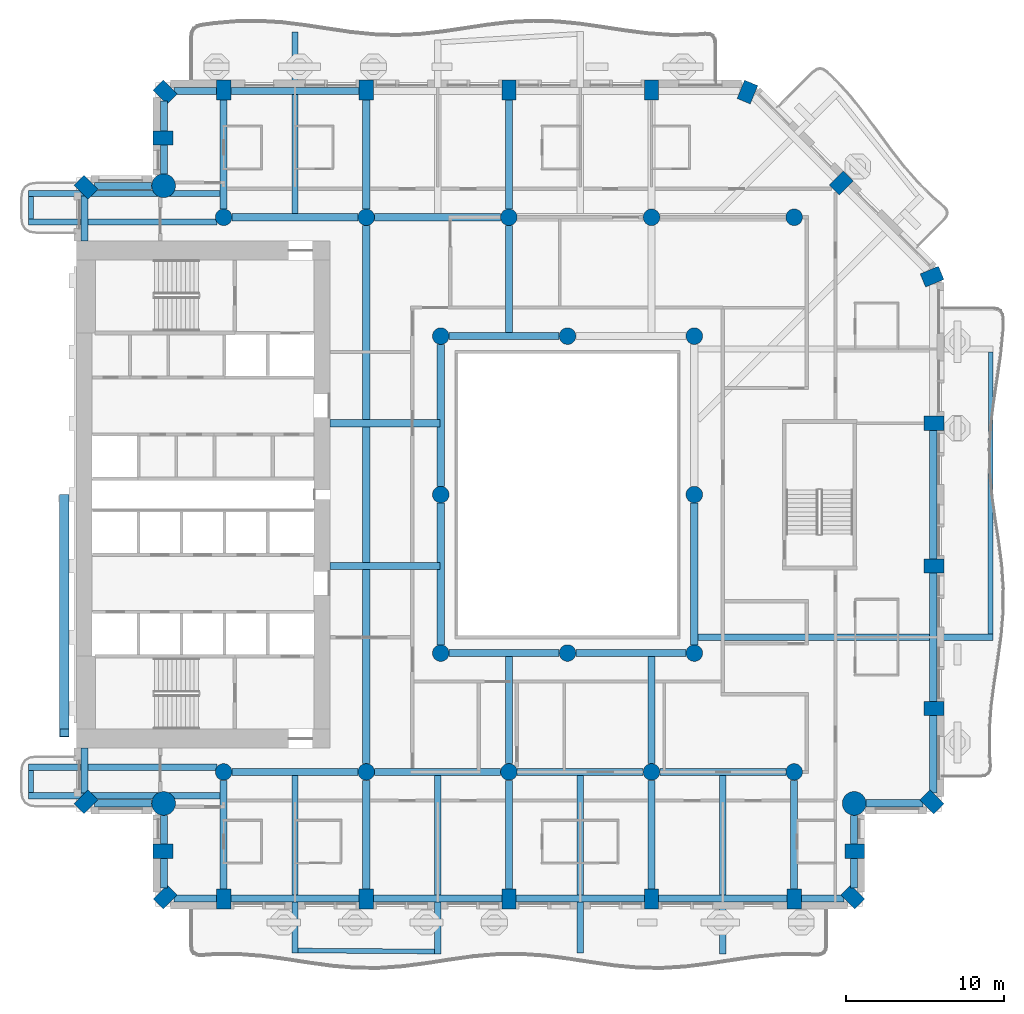
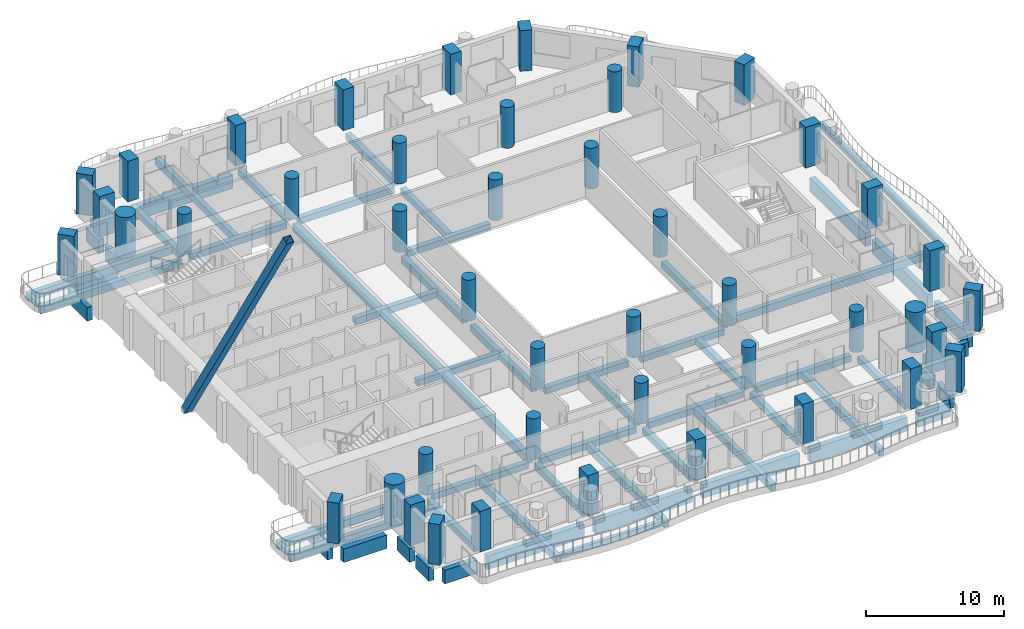
# One storey, part 1 of 21: 64 beams, 45 columns, 1 member.
"""IFC4 building model written with IfcOpenShell, lengths in metres."""

from ifc_helpers import new_model, si_unit, direction, frame, origin, origin_2d, place, context, subcontext, project, spatial, rectangle, hollow_rectangle, circle, extrude, material, material_profile, profile_set, type_object, element, save


model = new_model("IFC4")

# Units and contexts
model_context = context("Model", 3, precision=1e-05, world=origin(), true_north=direction((0.0, 1.0)))
body_context = subcontext(model_context, "Body", "Model", "MODEL_VIEW")
ifc_project = project(units=[si_unit("LENGTHUNIT", "METRE"), si_unit("AREAUNIT", "SQUARE_METRE"), si_unit("VOLUMEUNIT", "CUBIC_METRE"), si_unit("PLANEANGLEUNIT", "RADIAN"), si_unit("MASSUNIT", "GRAM", prefix="KILO")], contexts=[model_context])

# Site, building, storey
site_placement = place(None, origin())
site = spatial("IfcSite", under=ifc_project, at=site_placement, CompositionType="ELEMENT")
building_placement = place(site_placement, origin())
building = spatial("IfcBuilding", under=site, at=building_placement, Name="Cypress Arch Tower", CompositionType="ELEMENT")
storey_placement = place(building_placement, frame((0.0, 0.0, 127.5)))
storey = spatial("IfcBuildingStorey", under=building, at=storey_placement, Name="L27", CompositionType="ELEMENT", Elevation=127.5)

# Columns
ifc_material_1 = material(Name="Concrete C80/95", Category="concrete")
ifc_material_profile_1 = material_profile(ifc_material_1, rectangle(XDim=0.89990234375, YDim=1.25, at=origin_2d()), Name="RC 900x1250")
ifc_profile_set_1 = profile_set([ifc_material_profile_1], Name="Concrete C80/95")
column_type_1 = type_object("IfcColumnType", Name="Column RC 900x1250 Concrete C80/95", PredefinedType="COLUMN", material=ifc_profile_set_1)
for number, where, z_axis, x_axis, name in (
    (1, (-29.389892578125, 19.389892578125, 0.0), (0.0, 0.0, 1.0), (-0.707106781187, -0.707106781187, 0.0), "Column L27 CA00"),
    (2, (-29.389892578125, -19.389892578125, 0.0), (0.0, 0.0, 1.0), (0.707106781187, -0.707106781187, 0.0), "Column L27 CA01"),
    (3, (-24.52490234375, -22.5, 0.0), (0.0, 0.0, 1.0), (0.0, -1.0, 0.0), "Column L27 CA03"),
    (4, (-24.389892578125, -25.389892578125, 0.0), (0.0, 0.0, 1.0), (0.707106781187, -0.707106781187, 0.0), "Column L27 CA04"),
    (5, (-20.699951171875, -25.52490234375, 0.0), (0.0, 0.0, 1.0), (1.0, 0.0, 0.0), "Column L27 CA05"),
    (6, (-11.699951171875, -25.52490234375, 0.0), (0.0, 0.0, 1.0), (1.0, 0.0, 0.0), "Column L27 CA06"),
    (7, (-2.699951171875, -25.52490234375, 0.0), (0.0, 0.0, 1.0), (1.0, 0.0, 0.0), "Column L27 CA07"),
    (8, (6.300048828125, -25.52490234375, 0.0), (0.0, 0.0, 1.0), (1.0, 0.0, 0.0), "Column L27 CA08"),
    (9, (15.300048828125, -25.52490234375, 0.0), (0.0, 0.0, 1.0), (1.0, 0.0, 0.0), "Column L27 CA09"),
    (10, (18.98974609375, -25.389892578125, 0.0), (0.0, 0.0, 1.0), (0.707106781187, 0.707106781187, 0.0), "Column L27 CA10"),
    (11, (19.125, -22.5, 0.0), (0.0, 0.0, 1.0), (0.0, 1.0, 0.0), "Column L27 CA11"),
    (12, (23.98974609375, -19.389892578125, 0.0), (0.0, 0.0, 1.0), (0.707106781187, 0.707106781187, 0.0), "Column L27 CA13"),
    (13, (24.125, -13.5, 0.0), (0.0, 0.0, 1.0), (0.0, 1.0, 0.0), "Column L27 CA14"),
    (14, (24.125, -4.5, 0.0), (0.0, 0.0, 1.0), (0.0, 1.0, 0.0), "Column L27 CA15"),
    (15, (24.125, 4.5, 0.0), (0.0, 0.0, 1.0), (0.0, 1.0, 0.0), "Column L27 CA16"),
    (16, (24.00048828125, 13.751708984375, 0.0), (0.0, 0.0, 1.0), (-0.382683496864, 0.923879505795, 0.0), "Column L27 CA17"),
    (17, (18.26416015625, 19.6640625, 0.0), (0.0, 0.0, 1.0), (-0.707106781187, 0.707106781187, 0.0), "Column L27 CA18"),
    (18, (12.3515625, 25.400390625, 0.0), (0.0, 0.0, 1.0), (-0.923879505795, 0.382683496864, 0.0), "Column L27 CA19"),
    (19, (6.300048828125, 25.52490234375, 0.0), (0.0, 0.0, 1.0), (-1.0, 0.0, 0.0), "Column L27 CA20"),
    (20, (-2.699951171875, 25.52490234375, 0.0), (0.0, 0.0, 1.0), (-1.0, 0.0, 0.0), "Column L27 CA21"),
    (21, (-11.699951171875, 25.52490234375, 0.0), (0.0, 0.0, 1.0), (-1.0, 0.0, 0.0), "Column L27 CA22"),
    (22, (-20.699951171875, 25.52490234375, 0.0), (0.0, 0.0, 1.0), (-1.0, 0.0, 0.0), "Column L27 CA23"),
    (23, (-24.389892578125, 25.389892578125, 0.0), (0.0, 0.0, 1.0), (-0.707106781187, -0.707106781187, 0.0), "Column L27 CA24"),
    (24, (-24.52490234375, 22.5, 0.0), (0.0, 0.0, 1.0), (0.0, -1.0, 0.0), "Column L27 CA25"),
):
    element("IfcColumn", number, at=place(storey_placement, frame(where, z_axis=z_axis, x_axis=x_axis)), inside=storey, type_object=column_type_1, Name=name, PredefinedType="COLUMN", context=body_context, shape_type="SweptSolid", body=[
        extrude(rectangle(XDim=0.89990234375, YDim=1.25, at=origin_2d()), origin(), (0.0, 0.0, 1.0), 3.60009765625),
    ])
ifc_material_2 = material(Name="Concrete C70/85", Category="concrete")
ifc_material_profile_2 = material_profile(ifc_material_2, circle(Radius=0.52490234375, at=origin_2d()), Name="RC D1050")
ifc_profile_set_2 = profile_set([ifc_material_profile_2], Name="Concrete C70/85")
column_type_2 = type_object("IfcColumnType", Name="Column RC D1050 Concrete C70/85", PredefinedType="COLUMN", material=ifc_profile_set_2)
for number, where, z_axis, x_axis, name in (
    (25, (-20.699951171875, -17.5, 0.0), (0.0, 0.0, 1.0), (1.0, 0.0, 0.0), "Column L27 CIC-L27-CI3S"),
    (26, (-11.699951171875, -17.5, 0.0), (0.0, 0.0, 1.0), (1.0, 0.0, 0.0), "Column L27 CIC-L27-CI4S"),
    (27, (-2.699951171875, -17.5, 0.0), (0.0, 0.0, 1.0), (1.0, 0.0, 0.0), "Column L27 CIC-L27-CI5S"),
    (28, (6.300048828125, -17.5, 0.0), (0.0, 0.0, 1.0), (1.0, 0.0, 0.0), "Column L27 CIC-L27-CI6S"),
    (29, (15.300048828125, -17.5, 0.0), (0.0, 0.0, 1.0), (1.0, 0.0, 0.0), "Column L27 CIC-L27-CI7S"),
    (30, (-20.699951171875, 17.5, 0.0), (0.0, 0.0, 1.0), (1.0, 0.0, 0.0), "Column L27 CIC-L27-CI3N"),
    (31, (-11.699951171875, 17.5, 0.0), (0.0, 0.0, 1.0), (1.0, 0.0, 0.0), "Column L27 CIC-L27-CI4N"),
    (32, (-2.699951171875, 17.5, 0.0), (0.0, 0.0, 1.0), (1.0, 0.0, 0.0), "Column L27 CIC-L27-CI5N"),
    (33, (6.300048828125, 17.5, 0.0), (0.0, 0.0, 1.0), (1.0, 0.0, 0.0), "Column L27 CIC-L27-CI6N"),
    (34, (15.300048828125, 17.5, 0.0), (0.0, 0.0, 1.0), (1.0, 0.0, 0.0), "Column L27 CIC-L27-CI7N"),
    (35, (-7.0, -10.0, 0.0), (0.0, 0.0, 1.0), (1.0, 0.0, 0.0), "Column L27 RNG-L27-G-7-10"),
    (36, (-7.0, 0.0, 0.0), (0.0, 0.0, 1.0), (1.0, 0.0, 0.0), "Column L27 RNG-L27-G-7+0"),
    (37, (-7.0, 10.0, 0.0), (0.0, 0.0, 1.0), (1.0, 0.0, 0.0), "Column L27 RNG-L27-G-7+10"),
    (38, (1.0, -10.0, 0.0), (0.0, 0.0, 1.0), (1.0, 0.0, 0.0), "Column L27 RNG-L27-G+1-10"),
    (39, (1.0, 10.0, 0.0), (0.0, 0.0, 1.0), (1.0, 0.0, 0.0), "Column L27 RNG-L27-G+1+10"),
    (40, (9.0, -10.0, 0.0), (0.0, 0.0, 1.0), (1.0, 0.0, 0.0), "Column L27 RNG-L27-G+9-10"),
    (41, (9.0, 0.0, 0.0), (0.0, 0.0, 1.0), (1.0, 0.0, 0.0), "Column L27 RNG-L27-G+9+0"),
    (42, (9.0, 10.0, 0.0), (0.0, 0.0, 1.0), (1.0, 0.0, 0.0), "Column L27 RNG-L27-G+9+10"),
):
    element("IfcColumn", number, at=place(storey_placement, frame(where, z_axis=z_axis, x_axis=x_axis)), inside=storey, type_object=column_type_2, Name=name, PredefinedType="COLUMN", context=body_context, shape_type="SweptSolid", body=[
        extrude(circle(Radius=0.52490234375, at=origin_2d()), origin(), (0.0, 0.0, 1.0), 3.60009765625),
    ])
ifc_material_3 = material(Name="Concrete C80/95", Category="concrete")
ifc_material_profile_3 = material_profile(ifc_material_3, circle(Radius=0.75, at=origin_2d()), Name="RC D1500")
ifc_profile_set_3 = profile_set([ifc_material_profile_3], Name="Concrete C80/95")
column_type_3 = type_object("IfcColumnType", Name="Mega-column RC D1500 Concrete C80/95", PredefinedType="COLUMN", material=ifc_profile_set_3)
for number, where, z_axis, x_axis, name in (
    (43, (-24.48779296875, -19.48779296875, 0.0), (0.0, 0.0, 1.0), (1.0, 0.0, 0.0), "Column L27 CA02"),
    (44, (19.087890625, -19.48779296875, 0.0), (0.0, 0.0, 1.0), (1.0, 0.0, 0.0), "Column L27 CA12"),
    (45, (-24.48779296875, 19.48779296875, 0.0), (0.0, 0.0, 1.0), (1.0, 0.0, 0.0), "Column L27 CA26"),
):
    element("IfcColumn", number, at=place(storey_placement, frame(where, z_axis=z_axis, x_axis=x_axis)), inside=storey, type_object=column_type_3, Name=name, PredefinedType="COLUMN", context=body_context, shape_type="SweptSolid", body=[
        extrude(circle(Radius=0.75, at=origin_2d()), origin(), (0.0, 0.0, 1.0), 3.60009765625),
    ])

# Beams
ifc_material_4 = material(Name="Concrete C50/60", Category="concrete")
ifc_material_profile_4 = material_profile(ifc_material_4, rectangle(XDim=0.300048828125, YDim=0.449951171875, at=origin_2d()), Name="RC 300x450")
ifc_profile_set_4 = profile_set([ifc_material_profile_4], Name="Concrete C50/60")
beam_type_1 = type_object("IfcBeamType", Name="Balcony edge beam RC 300x450 Concrete C50/60", PredefinedType="BEAM", material=ifc_profile_set_4)
beam_1_placement = place(storey_placement, frame((-16.0, -28.769287109375, -0.52490234375), z_axis=(0.999974615171, -0.007125237847, 0.0), x_axis=(0.007125237847, 0.999974615171, 0.0)))
element("IfcBeam", 46, at=beam_1_placement, inside=storey, type_object=beam_type_1, Name="Balcony edge beam L27 A03", PredefinedType="BEAM", context=body_context, shape_type="SweptSolid", body=[
    extrude(rectangle(XDim=0.300048828125, YDim=0.449951171875, at=origin_2d()), origin(), (0.0, 0.0, 1.0), 8.600341796875),
])
ifc_material_5 = material(Name="Concrete C50/60", Category="concrete")
ifc_material_profile_5 = material_profile(ifc_material_5, rectangle(XDim=0.300048828125, YDim=0.64990234375, at=origin_2d()), Name="RC 300x650")
ifc_profile_set_5 = profile_set([ifc_material_profile_5], Name="Concrete C50/60")
beam_type_2 = type_object("IfcBeamType", Name="Balcony edge beam RC 300x650 Concrete C50/60", PredefinedType="BEAM", material=ifc_profile_set_5)
beam_2_placement = place(storey_placement, frame((27.687255859375, -8.800048828125, -0.625), z_axis=(0.000864683518, 0.999999626161, 0.0), x_axis=(-0.999999626161, 0.000864683518, 0.0)))
element("IfcBeam", 47, at=beam_2_placement, inside=storey, type_object=beam_type_2, Name="Balcony edge beam L27 A06", PredefinedType="BEAM", context=body_context, shape_type="SweptSolid", body=[
    extrude(rectangle(XDim=0.300048828125, YDim=0.64990234375, at=origin_2d()), origin(), (0.0, 0.0, 1.0), 17.787841796875),
])
ifc_material_6 = material(Name="Concrete C50/60", Category="concrete")
ifc_material_profile_6 = material_profile(ifc_material_6, rectangle(XDim=0.300048828125, YDim=0.39990234375, at=origin_2d()), Name="RC 300x400")
ifc_profile_set_6 = profile_set([ifc_material_profile_6], Name="Concrete C50/60")
beam_type_3 = type_object("IfcBeamType", Name="Balcony stub beam RC 300x400 Concrete C50/60", PredefinedType="BEAM", material=ifc_profile_set_6)
for number, where, z_axis, x_axis, name in (
    (48, (-32.85009765625, 18.800048828125, -0.5), (0.0, -1.0, 0.0), (1.0, 0.0, 0.0), "Balcony stub beam L27 A00W0"),
    (49, (-32.85009765625, -17.39990234375, -0.5), (0.0, -1.0, 0.0), (1.0, 0.0, 0.0), "Balcony stub beam L27 A00W1"),
):
    element("IfcBeam", number, at=place(storey_placement, frame(where, z_axis=z_axis, x_axis=x_axis)), inside=storey, type_object=beam_type_3, Name=name, PredefinedType="BEAM", context=body_context, shape_type="SweptSolid", body=[
        extrude(rectangle(XDim=0.300048828125, YDim=0.39990234375, at=origin_2d()), origin(), (0.0, 0.0, 1.0), 1.400146484375),
    ])
ifc_material_7 = material(Name="Concrete C50/60", Category="concrete")
ifc_material_profile_7 = material_profile(ifc_material_7, rectangle(XDim=0.39990234375, YDim=0.64990234375, at=origin_2d()), Name="RC 400x650")
ifc_profile_set_7 = profile_set([ifc_material_profile_7], Name="Concrete C50/60")
beam_type_4 = type_object("IfcBeamType", Name="Cantilever beam RC 400x650 Concrete C50/60", PredefinedType="BEAM", material=ifc_profile_set_7)
beam_3_placement = place(storey_placement, frame((-20.925048828125, 19.0, -0.625), z_axis=(-1.0, 0.0, 0.0), x_axis=(0.0, -1.0, 0.0)))
element("IfcBeam", 50, at=beam_3_placement, inside=storey, type_object=beam_type_4, Name="Cantilever beam L27 A00 1", PredefinedType="BEAM", context=body_context, shape_type="SweptSolid", body=[
    extrude(rectangle(XDim=0.39990234375, YDim=0.64990234375, at=origin_2d()), origin(), (0.0, 0.0, 1.0), 12.074951171875),
])
for number, where, z_axis, x_axis, name in (
    (51, (-21.130615234375, 17.199951171875, -0.625), (-1.0, 0.0, 0.0), (0.0, -1.0, 0.0), "Cantilever beam L27 A00 2"),
    (52, (-21.130615234375, -17.199951171875, -0.625), (-1.0, 0.0, 0.0), (0.0, -1.0, 0.0), "Cantilever beam L27 A00 1"),
):
    element("IfcBeam", number, at=place(storey_placement, frame(where, z_axis=z_axis, x_axis=x_axis)), inside=storey, type_object=beam_type_4, Name=name, PredefinedType="BEAM", context=body_context, shape_type="SweptSolid", body=[
        extrude(rectangle(XDim=0.39990234375, YDim=0.64990234375, at=origin_2d()), origin(), (0.0, 0.0, 1.0), 11.869384765625),
    ])
beam_4_placement = place(storey_placement, frame((-20.925048828125, -19.0, -0.625), z_axis=(-1.0, 0.0, 0.0), x_axis=(0.0, -1.0, 0.0)))
element("IfcBeam", 53, at=beam_4_placement, inside=storey, type_object=beam_type_4, Name="Cantilever beam L27 A00 2", PredefinedType="BEAM", context=body_context, shape_type="SweptSolid", body=[
    extrude(rectangle(XDim=0.39990234375, YDim=0.64990234375, at=origin_2d()), origin(), (0.0, 0.0, 1.0), 12.074951171875),
])
beam_5_placement = place(storey_placement, frame((-16.199951171875, -17.72509765625, -0.625), z_axis=(0.0, -1.0, 0.0), x_axis=(1.0, 0.0, 0.0)))
element("IfcBeam", 54, at=beam_5_placement, inside=storey, type_object=beam_type_4, Name="Cantilever beam L27 A03 1", PredefinedType="BEAM", context=body_context, shape_type="SweptSolid", body=[
    extrude(rectangle(XDim=0.39990234375, YDim=0.64990234375, at=origin_2d()), origin(), (0.0, 0.0, 1.0), 11.194091796875),
])
beam_6_placement = place(storey_placement, frame((-7.199951171875, -17.72509765625, -0.625), z_axis=(0.0, -1.0, 0.0), x_axis=(1.0, 0.0, 0.0)))
element("IfcBeam", 55, at=beam_6_placement, inside=storey, type_object=beam_type_4, Name="Cantilever beam L27 A03 2", PredefinedType="BEAM", context=body_context, shape_type="SweptSolid", body=[
    extrude(rectangle(XDim=0.39990234375, YDim=0.64990234375, at=origin_2d()), origin(), (0.0, 0.0, 1.0), 11.25537109375),
])
beam_7_placement = place(storey_placement, frame((1.800048828125, -17.72509765625, -0.625), z_axis=(0.0, -1.0, 0.0), x_axis=(1.0, 0.0, 0.0)))
element("IfcBeam", 56, at=beam_7_placement, inside=storey, type_object=beam_type_4, Name="Cantilever beam L27 A03 3", PredefinedType="BEAM", context=body_context, shape_type="SweptSolid", body=[
    extrude(rectangle(XDim=0.39990234375, YDim=0.64990234375, at=origin_2d()), origin(), (0.0, 0.0, 1.0), 11.19482421875),
])
beam_8_placement = place(storey_placement, frame((10.800048828125, -17.72509765625, -0.625), z_axis=(0.0, -1.0, 0.0), x_axis=(1.0, 0.0, 0.0)))
element("IfcBeam", 57, at=beam_8_placement, inside=storey, type_object=beam_type_4, Name="Cantilever beam L27 A03 4", PredefinedType="BEAM", context=body_context, shape_type="SweptSolid", body=[
    extrude(rectangle(XDim=0.39990234375, YDim=0.64990234375, at=origin_2d()), origin(), (0.0, 0.0, 1.0), 11.2548828125),
])
beam_9_placement = place(storey_placement, frame((9.22509765625, -9.0, -0.625), z_axis=(1.0, 0.0, 0.0), x_axis=(0.0, 1.0, 0.0)))
element("IfcBeam", 58, at=beam_9_placement, inside=storey, type_object=beam_type_4, Name="Cantilever beam L27 A06 1", PredefinedType="BEAM", context=body_context, shape_type="SweptSolid", body=[
    extrude(rectangle(XDim=0.39990234375, YDim=0.64990234375, at=origin_2d()), origin(), (0.0, 0.0, 1.0), 18.6123046875),
])
beam_10_placement = place(storey_placement, frame((-16.199951171875, 17.72509765625, -0.625), z_axis=(0.0, 1.0, 0.0), x_axis=(-1.0, 0.0, 0.0)))
element("IfcBeam", 59, at=beam_10_placement, inside=storey, type_object=beam_type_4, Name="Cantilever beam L27 A08 3", PredefinedType="BEAM", context=body_context, shape_type="SweptSolid", body=[
    extrude(rectangle(XDim=0.39990234375, YDim=0.64990234375, at=origin_2d()), origin(), (0.0, 0.0, 1.0), 11.48095703125),
])
ifc_material_8 = material(Name="Concrete C50/60", Category="concrete")
ifc_material_profile_8 = material_profile(ifc_material_8, rectangle(XDim=0.449951171875, YDim=0.550048828125, at=origin_2d()), Name="RC 450x550")
ifc_profile_set_8 = profile_set([ifc_material_profile_8], Name="Concrete C50/60")
beam_type_5 = type_object("IfcBeamType", Name="Floor beam RC 450x550 Concrete C50/60", PredefinedType="BEAM", material=ifc_profile_set_8)
for number, where, z_axis, x_axis, name in (
    (60, (-7.0, -9.47509765625, -0.574951171875), (0.0, 1.0, 0.0), (-1.0, 0.0, 0.0), "Floor beam L27 RB001"),
    (61, (-7.0, 0.52490234375, -0.574951171875), (0.0, 1.0, 0.0), (-1.0, 0.0, 0.0), "Floor beam L27 RB002"),
    (62, (9.0, -9.47509765625, -0.574951171875), (0.0, 1.0, 0.0), (-1.0, 0.0, 0.0), "Floor beam L27 RB003"),
):
    element("IfcBeam", number, at=place(storey_placement, frame(where, z_axis=z_axis, x_axis=x_axis)), inside=storey, type_object=beam_type_5, Name=name, PredefinedType="BEAM", context=body_context, shape_type="SweptSolid", body=[
        extrude(rectangle(XDim=0.449951171875, YDim=0.550048828125, at=origin_2d()), origin(), (0.0, 0.0, 1.0), 8.9501953125),
    ])
for number, where, z_axis, x_axis, name in (
    (63, (-6.47509765625, -10.0, -0.574951171875), (1.0, 0.0, 0.0), (0.0, 1.0, 0.0), "Floor beam L27 RB005"),
    (64, (1.52490234375, -10.0, -0.574951171875), (1.0, 0.0, 0.0), (0.0, 1.0, 0.0), "Floor beam L27 RB006"),
    (65, (-6.47509765625, 10.0, -0.574951171875), (1.0, 0.0, 0.0), (0.0, 1.0, 0.0), "Floor beam L27 RB007"),
):
    element("IfcBeam", number, at=place(storey_placement, frame(where, z_axis=z_axis, x_axis=x_axis)), inside=storey, type_object=beam_type_5, Name=name, PredefinedType="BEAM", context=body_context, shape_type="SweptSolid", body=[
        extrude(rectangle(XDim=0.449951171875, YDim=0.550048828125, at=origin_2d()), origin(), (0.0, 0.0, 1.0), 6.9501953125),
    ])
for number, where, z_axis, x_axis, name in (
    (66, (-20.175048828125, -17.5, -0.574951171875), (1.0, 0.0, 0.0), (0.0, 1.0, 0.0), "Floor beam L27 FB009"),
    (67, (-11.175048828125, -17.5, -0.574951171875), (1.0, 0.0, 0.0), (0.0, 1.0, 0.0), "Floor beam L27 FB010"),
    (68, (-2.175048828125, -17.5, -0.574951171875), (1.0, 0.0, 0.0), (0.0, 1.0, 0.0), "Floor beam L27 FB011"),
    (69, (6.824951171875, -17.5, -0.574951171875), (1.0, 0.0, 0.0), (0.0, 1.0, 0.0), "Floor beam L27 FB012"),
):
    element("IfcBeam", number, at=place(storey_placement, frame(where, z_axis=z_axis, x_axis=x_axis)), inside=storey, type_object=beam_type_5, Name=name, PredefinedType="BEAM", context=body_context, shape_type="SweptSolid", body=[
        extrude(rectangle(XDim=0.449951171875, YDim=0.550048828125, at=origin_2d()), origin(), (0.0, 0.0, 1.0), 7.949951171875),
    ])
for number, where, z_axis, x_axis, name in (
    (70, (-14.0, -4.5, -0.574951171875), (1.0, 0.0, 0.0), (0.0, 1.0, 0.0), "Floor beam L27 FB013"),
    (71, (-14.0, 4.5, -0.574951171875), (1.0, 0.0, 0.0), (0.0, 1.0, 0.0), "Floor beam L27 FB014"),
):
    element("IfcBeam", number, at=place(storey_placement, frame(where, z_axis=z_axis, x_axis=x_axis)), inside=storey, type_object=beam_type_5, Name=name, PredefinedType="BEAM", context=body_context, shape_type="SweptSolid", body=[
        extrude(rectangle(XDim=0.449951171875, YDim=0.550048828125, at=origin_2d()), origin(), (0.0, 0.0, 1.0), 6.949951171875),
    ])
for number, where, z_axis, x_axis, name in (
    (72, (-20.175048828125, 17.5, -0.574951171875), (1.0, 0.0, 0.0), (0.0, 1.0, 0.0), "Floor beam L27 FB015"),
    (73, (-11.175048828125, 17.5, -0.574951171875), (1.0, 0.0, 0.0), (0.0, 1.0, 0.0), "Floor beam L27 FB016"),
):
    element("IfcBeam", number, at=place(storey_placement, frame(where, z_axis=z_axis, x_axis=x_axis)), inside=storey, type_object=beam_type_5, Name=name, PredefinedType="BEAM", context=body_context, shape_type="SweptSolid", body=[
        extrude(rectangle(XDim=0.449951171875, YDim=0.550048828125, at=origin_2d()), origin(), (0.0, 0.0, 1.0), 7.949951171875),
    ])
for number, where, z_axis, x_axis, name in (
    (74, (-20.699951171875, -24.89990234375, -0.574951171875), (0.0, 1.0, 0.0), (-1.0, 0.0, 0.0), "Floor beam L27 FB019"),
    (75, (-20.699951171875, 18.02490234375, -0.574951171875), (0.0, 1.0, 0.0), (-1.0, 0.0, 0.0), "Floor beam L27 FB020"),
    (76, (-11.699951171875, -24.89990234375, -0.574951171875), (0.0, 1.0, 0.0), (-1.0, 0.0, 0.0), "Floor beam L27 FB021"),
):
    element("IfcBeam", number, at=place(storey_placement, frame(where, z_axis=z_axis, x_axis=x_axis)), inside=storey, type_object=beam_type_5, Name=name, PredefinedType="BEAM", context=body_context, shape_type="SweptSolid", body=[
        extrude(rectangle(XDim=0.449951171875, YDim=0.550048828125, at=origin_2d()), origin(), (0.0, 0.0, 1.0), 6.875),
    ])
beam_11_placement = place(storey_placement, frame((-11.699951171875, -4.27490234375, -0.574951171875), z_axis=(0.0, 1.0, 0.0), x_axis=(-1.0, 0.0, 0.0)))
element("IfcBeam", 77, at=beam_11_placement, inside=storey, type_object=beam_type_5, Name="Floor beam L27 FB023", PredefinedType="BEAM", context=body_context, shape_type="SweptSolid", body=[
    extrude(rectangle(XDim=0.449951171875, YDim=0.550048828125, at=origin_2d()), origin(), (0.0, 0.0, 1.0), 8.5498046875),
])
for number, where, z_axis, x_axis, name in (
    (78, (-11.699951171875, 18.02490234375, -0.574951171875), (0.0, 1.0, 0.0), (-1.0, 0.0, 0.0), "Floor beam L27 FB025"),
    (79, (-2.699951171875, -24.89990234375, -0.574951171875), (0.0, 1.0, 0.0), (-1.0, 0.0, 0.0), "Floor beam L27 FB026"),
):
    element("IfcBeam", number, at=place(storey_placement, frame(where, z_axis=z_axis, x_axis=x_axis)), inside=storey, type_object=beam_type_5, Name=name, PredefinedType="BEAM", context=body_context, shape_type="SweptSolid", body=[
        extrude(rectangle(XDim=0.449951171875, YDim=0.550048828125, at=origin_2d()), origin(), (0.0, 0.0, 1.0), 6.875),
    ])
for number, where, z_axis, x_axis, name in (
    (80, (-2.699951171875, -16.97509765625, -0.574951171875), (0.0, 1.0, 0.0), (-1.0, 0.0, 0.0), "Floor beam L27 FB027"),
    (81, (-2.699951171875, 10.22509765625, -0.574951171875), (0.0, 1.0, 0.0), (-1.0, 0.0, 0.0), "Floor beam L27 FB028"),
):
    element("IfcBeam", number, at=place(storey_placement, frame(where, z_axis=z_axis, x_axis=x_axis)), inside=storey, type_object=beam_type_5, Name=name, PredefinedType="BEAM", context=body_context, shape_type="SweptSolid", body=[
        extrude(rectangle(XDim=0.449951171875, YDim=0.550048828125, at=origin_2d()), origin(), (0.0, 0.0, 1.0), 6.75),
    ])
for number, where, z_axis, x_axis, name in (
    (82, (-2.699951171875, 18.02490234375, -0.574951171875), (0.0, 1.0, 0.0), (-1.0, 0.0, 0.0), "Floor beam L27 FB029"),
    (83, (6.300048828125, -24.89990234375, -0.574951171875), (0.0, 1.0, 0.0), (-1.0, 0.0, 0.0), "Floor beam L27 FB030"),
):
    element("IfcBeam", number, at=place(storey_placement, frame(where, z_axis=z_axis, x_axis=x_axis)), inside=storey, type_object=beam_type_5, Name=name, PredefinedType="BEAM", context=body_context, shape_type="SweptSolid", body=[
        extrude(rectangle(XDim=0.449951171875, YDim=0.550048828125, at=origin_2d()), origin(), (0.0, 0.0, 1.0), 6.875),
    ])
beam_12_placement = place(storey_placement, frame((6.300048828125, -16.97509765625, -0.574951171875), z_axis=(0.0, 1.0, 0.0), x_axis=(-1.0, 0.0, 0.0)))
element("IfcBeam", 84, at=beam_12_placement, inside=storey, type_object=beam_type_5, Name="Floor beam L27 FB031", PredefinedType="BEAM", context=body_context, shape_type="SweptSolid", body=[
    extrude(rectangle(XDim=0.449951171875, YDim=0.550048828125, at=origin_2d()), origin(), (0.0, 0.0, 1.0), 6.75),
])
beam_13_placement = place(storey_placement, frame((15.300048828125, -24.89990234375, -0.574951171875), z_axis=(0.0, 1.0, 0.0), x_axis=(-1.0, 0.0, 0.0)))
element("IfcBeam", 85, at=beam_13_placement, inside=storey, type_object=beam_type_5, Name="Floor beam L27 FB034", PredefinedType="BEAM", context=body_context, shape_type="SweptSolid", body=[
    extrude(rectangle(XDim=0.449951171875, YDim=0.550048828125, at=origin_2d()), origin(), (0.0, 0.0, 1.0), 6.875),
])
ifc_material_9 = material(Name="Concrete C50/60", Category="concrete")
ifc_material_profile_9 = material_profile(ifc_material_9, rectangle(XDim=0.5, YDim=0.699951171875, at=origin_2d()), Name="RC 500x700")
ifc_profile_set_9 = profile_set([ifc_material_profile_9], Name="Concrete C50/60")
beam_type_6 = type_object("IfcBeamType", Name="Floor beam RC 500x700 Concrete C50/60", PredefinedType="BEAM", material=ifc_profile_set_9)
for number, where, z_axis, x_axis, name in (
    (86, (-11.699951171875, -16.97509765625, -0.64990234375), (0.0, 1.0, 0.0), (-1.0, 0.0, 0.0), "Floor beam L27 FB022"),
    (87, (-11.699951171875, 4.72509765625, -0.64990234375), (0.0, 1.0, 0.0), (-1.0, 0.0, 0.0), "Floor beam L27 FB024"),
):
    element("IfcBeam", number, at=place(storey_placement, frame(where, z_axis=z_axis, x_axis=x_axis)), inside=storey, type_object=beam_type_6, Name=name, PredefinedType="BEAM", context=body_context, shape_type="SweptSolid", body=[
        extrude(rectangle(XDim=0.5, YDim=0.699951171875, at=origin_2d()), origin(), (0.0, 0.0, 1.0), 12.25),
    ])
ifc_material_10 = material(Name="Concrete C50/60", Category="concrete")
ifc_material_profile_10 = material_profile(ifc_material_10, rectangle(XDim=0.449951171875, YDim=1.199951171875, at=origin_2d()), Name="RC 450x1200")
ifc_profile_set_10 = profile_set([ifc_material_profile_10], Name="Concrete C50/60")
beam_type_7 = type_object("IfcBeamType", Name="Spandrel beam RC 450x1200 Concrete C50/60", PredefinedType="SPANDREL", material=ifc_profile_set_10)
for number, where, z_axis, x_axis, name in (
    (88, (-29.47509765625, 18.838623046875, -1.550048828125), (0.0, -1.0, 0.0), (1.0, 0.0, 0.0), "Spandrel beam L27 BA00-0"),
    (89, (-29.47509765625, -16.0, -1.550048828125), (0.0, -1.0, 0.0), (1.0, 0.0, 0.0), "Spandrel beam L27 BA00-0"),
):
    element("IfcBeam", number, at=place(storey_placement, frame(where, z_axis=z_axis, x_axis=x_axis)), inside=storey, type_object=beam_type_7, Name=name, PredefinedType="SPANDREL", context=body_context, shape_type="SweptSolid", body=[
        extrude(rectangle(XDim=0.449951171875, YDim=1.199951171875, at=origin_2d()), origin(), (0.0, 0.0, 1.0), 2.838623046875),
    ])
beam_14_placement = place(storey_placement, frame((-28.838623046875, -19.47509765625, -1.550048828125), z_axis=(1.0, 0.0, 0.0), x_axis=(0.0, 1.0, 0.0)))
element("IfcBeam", 90, at=beam_14_placement, inside=storey, type_object=beam_type_7, Name="Spandrel beam L27 BA01-0", PredefinedType="SPANDREL", context=body_context, shape_type="SweptSolid", body=[
    extrude(rectangle(XDim=0.449951171875, YDim=1.199951171875, at=origin_2d()), origin(), (0.0, 0.0, 1.0), 3.60107421875),
])
beam_15_placement = place(storey_placement, frame((-24.47509765625, -20.237548828125, -1.550048828125), z_axis=(0.0, -1.0, 0.0), x_axis=(1.0, 0.0, 0.0)))
element("IfcBeam", 91, at=beam_15_placement, inside=storey, type_object=beam_type_7, Name="Spandrel beam L27 BA02-0", PredefinedType="SPANDREL", context=body_context, shape_type="SweptSolid", body=[
    extrude(rectangle(XDim=0.449951171875, YDim=1.199951171875, at=origin_2d()), origin(), (0.0, 0.0, 1.0), 1.8125),
])
beam_16_placement = place(storey_placement, frame((-24.47509765625, -22.949951171875, -1.550048828125), z_axis=(0.0, -1.0, 0.0), x_axis=(1.0, 0.0, 0.0)))
element("IfcBeam", 92, at=beam_16_placement, inside=storey, type_object=beam_type_7, Name="Spandrel beam L27 BA02-1", PredefinedType="SPANDREL", context=body_context, shape_type="SweptSolid", body=[
    extrude(rectangle(XDim=0.449951171875, YDim=1.199951171875, at=origin_2d()), origin(), (0.0, 0.0, 1.0), 1.888671875),
])
beam_17_placement = place(storey_placement, frame((-23.838623046875, -25.47509765625, -1.550048828125), z_axis=(1.0, 0.0, 0.0), x_axis=(0.0, 1.0, 0.0)))
element("IfcBeam", 93, at=beam_17_placement, inside=storey, type_object=beam_type_7, Name="Spandrel beam L27 BA03-0", PredefinedType="SPANDREL", context=body_context, shape_type="SweptSolid", body=[
    extrude(rectangle(XDim=0.449951171875, YDim=1.199951171875, at=origin_2d()), origin(), (0.0, 0.0, 1.0), 2.688720703125),
])
for number, where, z_axis, x_axis, name in (
    (94, (-20.25, -25.47509765625, -1.550048828125), (1.0, 0.0, 0.0), (0.0, 1.0, 0.0), "Spandrel beam L27 BA03-1"),
    (95, (-11.25, -25.47509765625, -1.550048828125), (1.0, 0.0, 0.0), (0.0, 1.0, 0.0), "Spandrel beam L27 BA03-2"),
    (96, (-2.25, -25.47509765625, -1.550048828125), (1.0, 0.0, 0.0), (0.0, 1.0, 0.0), "Spandrel beam L27 BA03-3"),
    (97, (6.75, -25.47509765625, -1.550048828125), (1.0, 0.0, 0.0), (0.0, 1.0, 0.0), "Spandrel beam L27 BA03-4"),
):
    element("IfcBeam", number, at=place(storey_placement, frame(where, z_axis=z_axis, x_axis=x_axis)), inside=storey, type_object=beam_type_7, Name=name, PredefinedType="SPANDREL", context=body_context, shape_type="SweptSolid", body=[
        extrude(rectangle(XDim=0.449951171875, YDim=1.199951171875, at=origin_2d()), origin(), (0.0, 0.0, 1.0), 8.10009765625),
    ])
beam_18_placement = place(storey_placement, frame((15.75, -25.47509765625, -1.550048828125), z_axis=(1.0, 0.0, 0.0), x_axis=(0.0, 1.0, 0.0)))
element("IfcBeam", 98, at=beam_18_placement, inside=storey, type_object=beam_type_7, Name="Spandrel beam L27 BA03-5", PredefinedType="SPANDREL", context=body_context, shape_type="SweptSolid", body=[
    extrude(rectangle(XDim=0.449951171875, YDim=1.199951171875, at=origin_2d()), origin(), (0.0, 0.0, 1.0), 2.688720703125),
])
beam_19_placement = place(storey_placement, frame((19.074951171875, -24.838623046875, -1.550048828125), z_axis=(0.0, 1.0, 0.0), x_axis=(-1.0, 0.0, 0.0)))
element("IfcBeam", 99, at=beam_19_placement, inside=storey, type_object=beam_type_7, Name="Spandrel beam L27 BA04-0", PredefinedType="SPANDREL", context=body_context, shape_type="SweptSolid", body=[
    extrude(rectangle(XDim=0.449951171875, YDim=1.199951171875, at=origin_2d()), origin(), (0.0, 0.0, 1.0), 1.888671875),
])
beam_20_placement = place(storey_placement, frame((19.074951171875, -22.050048828125, -1.550048828125), z_axis=(0.0, 1.0, 0.0), x_axis=(-1.0, 0.0, 0.0)))
element("IfcBeam", 100, at=beam_20_placement, inside=storey, type_object=beam_type_7, Name="Spandrel beam L27 BA04-1", PredefinedType="SPANDREL", context=body_context, shape_type="SweptSolid", body=[
    extrude(rectangle(XDim=0.449951171875, YDim=1.199951171875, at=origin_2d()), origin(), (0.0, 0.0, 1.0), 1.8125),
])
beam_21_placement = place(storey_placement, frame((19.837646484375, -19.47509765625, -1.550048828125), z_axis=(1.0, 0.0, 0.0), x_axis=(0.0, 1.0, 0.0)))
element("IfcBeam", 101, at=beam_21_placement, inside=storey, type_object=beam_type_7, Name="Spandrel beam L27 BA05-0", PredefinedType="SPANDREL", context=body_context, shape_type="SweptSolid", body=[
    extrude(rectangle(XDim=0.449951171875, YDim=1.199951171875, at=origin_2d()), origin(), (0.0, 0.0, 1.0), 3.60107421875),
])
beam_22_placement = place(storey_placement, frame((24.074951171875, -18.838623046875, -1.550048828125), z_axis=(0.0, 1.0, 0.0), x_axis=(-1.0, 0.0, 0.0)))
element("IfcBeam", 102, at=beam_22_placement, inside=storey, type_object=beam_type_7, Name="Spandrel beam L27 BA06-0", PredefinedType="SPANDREL", context=body_context, shape_type="SweptSolid", body=[
    extrude(rectangle(XDim=0.449951171875, YDim=1.199951171875, at=origin_2d()), origin(), (0.0, 0.0, 1.0), 4.888671875),
])
for number, where, z_axis, x_axis, name in (
    (103, (24.074951171875, -13.050048828125, -1.550048828125), (0.0, 1.0, 0.0), (-1.0, 0.0, 0.0), "Spandrel beam L27 BA06-1"),
    (104, (24.074951171875, -4.050048828125, -1.550048828125), (0.0, 1.0, 0.0), (-1.0, 0.0, 0.0), "Spandrel beam L27 BA06-2"),
    (105, (-12.14990234375, 25.47509765625, -1.550048828125), (-1.0, 0.0, 0.0), (0.0, -1.0, 0.0), "Spandrel beam L27 BA08-3"),
):
    element("IfcBeam", number, at=place(storey_placement, frame(where, z_axis=z_axis, x_axis=x_axis)), inside=storey, type_object=beam_type_7, Name=name, PredefinedType="SPANDREL", context=body_context, shape_type="SweptSolid", body=[
        extrude(rectangle(XDim=0.449951171875, YDim=1.199951171875, at=origin_2d()), origin(), (0.0, 0.0, 1.0), 8.10009765625),
    ])
beam_23_placement = place(storey_placement, frame((-21.14990234375, 25.47509765625, -1.550048828125), z_axis=(-1.0, 0.0, 0.0), x_axis=(0.0, -1.0, 0.0)))
element("IfcBeam", 106, at=beam_23_placement, inside=storey, type_object=beam_type_7, Name="Spandrel beam L27 BA08-4", PredefinedType="SPANDREL", context=body_context, shape_type="SweptSolid", body=[
    extrude(rectangle(XDim=0.449951171875, YDim=1.199951171875, at=origin_2d()), origin(), (0.0, 0.0, 1.0), 2.688720703125),
])
beam_24_placement = place(storey_placement, frame((-24.47509765625, 24.838623046875, -1.550048828125), z_axis=(0.0, -1.0, 0.0), x_axis=(1.0, 0.0, 0.0)))
element("IfcBeam", 107, at=beam_24_placement, inside=storey, type_object=beam_type_7, Name="Spandrel beam L27 BA09-0", PredefinedType="SPANDREL", context=body_context, shape_type="SweptSolid", body=[
    extrude(rectangle(XDim=0.449951171875, YDim=1.199951171875, at=origin_2d()), origin(), (0.0, 0.0, 1.0), 1.888671875),
])
beam_25_placement = place(storey_placement, frame((-24.47509765625, 22.050048828125, -1.550048828125), z_axis=(0.0, -1.0, 0.0), x_axis=(1.0, 0.0, 0.0)))
element("IfcBeam", 108, at=beam_25_placement, inside=storey, type_object=beam_type_7, Name="Spandrel beam L27 BA09-1", PredefinedType="SPANDREL", context=body_context, shape_type="SweptSolid", body=[
    extrude(rectangle(XDim=0.449951171875, YDim=1.199951171875, at=origin_2d()), origin(), (0.0, 0.0, 1.0), 1.8125),
])
beam_26_placement = place(storey_placement, frame((-25.237548828125, 19.47509765625, -1.550048828125), z_axis=(-1.0, 0.0, 0.0), x_axis=(0.0, -1.0, 0.0)))
element("IfcBeam", 109, at=beam_26_placement, inside=storey, type_object=beam_type_7, Name="Spandrel beam L27 BA10-0", PredefinedType="SPANDREL", context=body_context, shape_type="SweptSolid", body=[
    extrude(rectangle(XDim=0.449951171875, YDim=1.199951171875, at=origin_2d()), origin(), (0.0, 0.0, 1.0), 3.60107421875),
])

# Member
ifc_material_11 = material(Name="Steel ASTM A501 Grade B", Category="steel")
ifc_material_profile_11 = material_profile(ifc_material_11, hollow_rectangle(XDim=0.609619140625, YDim=0.609619140625, WallThickness=0.023681640625, at=origin_2d()), Name="HSS 24x24x1")
ifc_profile_set_11 = profile_set([ifc_material_profile_11], Name="Steel ASTM A501 Grade B")
member_type = type_object("IfcMemberType", Name="West bracing diagonal HSS 24x24x1 Steel ASTM A501 Grade B", PredefinedType="BRACE", material=ifc_profile_set_11)
member_placement = place(storey_placement, frame((-30.7548828125, -15.036376953125, 24.275390625), z_axis=(0.0, 0.525014695061, -0.851093161745), x_axis=(-1.0, 0.0, 0.0)))
element("IfcMember", 110, at=member_placement, inside=storey, type_object=member_type, Name="West bracing diagonal 2B", PredefinedType="BRACE", context=body_context, shape_type="SweptSolid", body=[
    extrude(hollow_rectangle(XDim=0.609619140625, YDim=0.609619140625, WallThickness=0.023681640625, at=origin_2d()), origin(), (0.0, 0.0, 1.0), 28.146484375),
])

save(model, "model.ifc")
